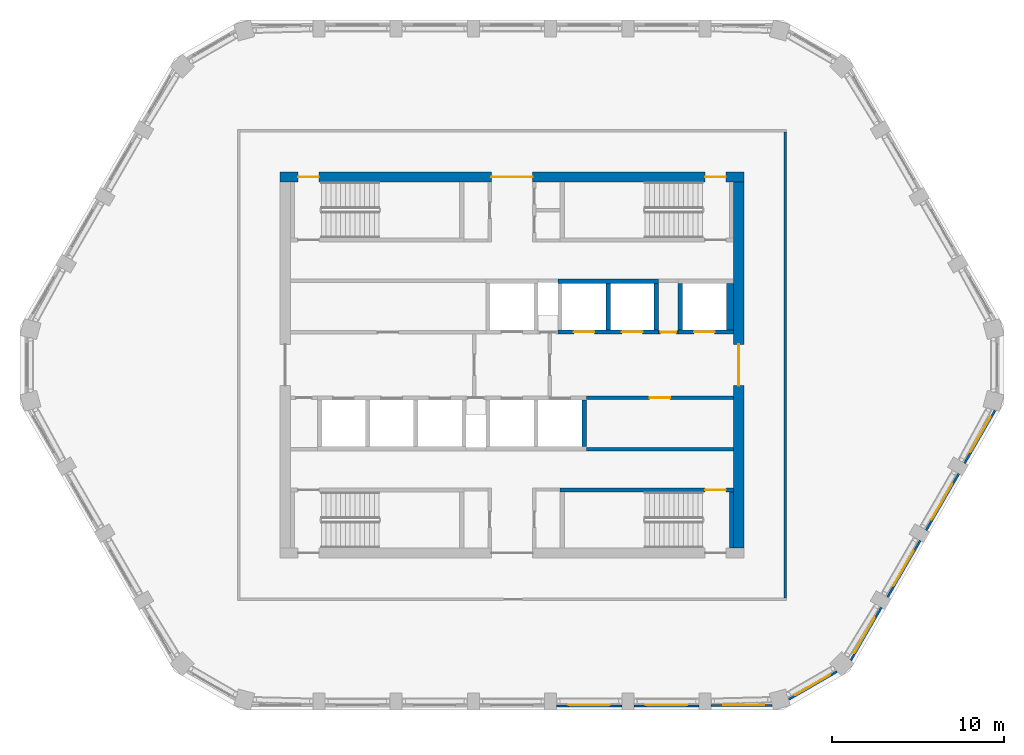
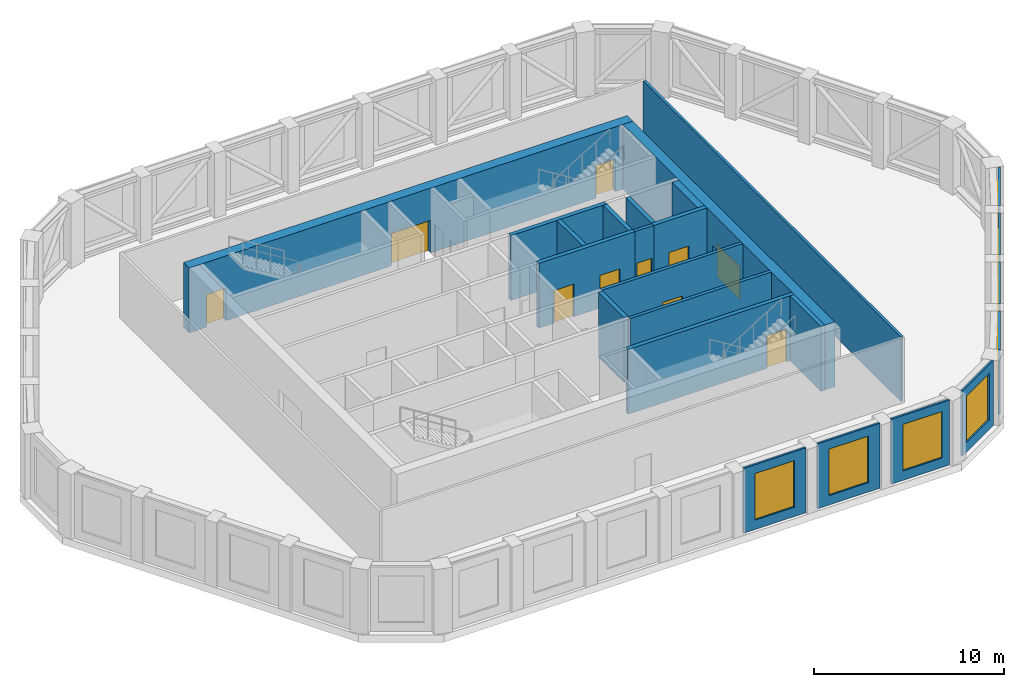
# One storey, part 5 of 14: 24 walls, 10 doors, 8 windows, 18 openings.
"""IFC4 building model written with IfcOpenShell, lengths in metres."""

import ifcopenshell
import ifcopenshell.guid

model = None  # the IFC model being written
_history = None  # IfcOwnerHistory: only IFC2X3 demands one
_inside = {}  # id of a spatial element -> (the spatial element, [elements in it])
_under = {}  # id of a project, library or spatial element -> (it, [spatial elements below it])
_declared = {}  # id of a project -> (the project, [libraries it declares])
_typed = {}  # id of a type object -> (the type object, [elements of that type])
_made_of = {}  # id of a material, layer set ... -> (it, [elements and type objects made of it])


def new_model(schema):
    """Start an empty IFC model of exactly this schema.

    Asked for "IFC4X3", IfcOpenShell would pick the latest addendum, in which some entities
    have other attributes; the version numbers below select the first issue.
    IFC2X3 requires an IfcOwnerHistory on every rooted entity: one is made here for all.
    """
    global model, _history
    if schema == "IFC4X3":
        model = ifcopenshell.file(schema_version=(4, 3, 0, 0))
    else:
        model = ifcopenshell.file(schema=schema)
    _inside.clear()
    _under.clear()
    _declared.clear()
    _typed.clear()
    _made_of.clear()
    _history = None
    if model.schema == "IFC2X3":
        org = make("IfcOrganization", Name="unknown")
        user = make(
            "IfcPersonAndOrganization",
            ThePerson=make("IfcPerson", FamilyName="unknown"),
            TheOrganization=org,
        )
        app = make(
            "IfcApplication",
            ApplicationDeveloper=org,
            Version="unknown",
            ApplicationFullName="unknown",
            ApplicationIdentifier="unknown",
        )
        _history = make(
            "IfcOwnerHistory",
            OwningUser=user,
            OwningApplication=app,
            ChangeAction="ADDED",
            CreationDate=0,
        )
    return model


def make(cls, **values):
    """One entity of the class cls with the attributes given. An attribute that is None is left unset."""
    return model.create_entity(
        cls, **{name: value for name, value in values.items() if value is not None}
    )


def rooted(cls, **values):
    """An entity with a GlobalId (a new one), such as an element, a storey or a relation."""
    return make(cls, GlobalId=ifcopenshell.guid.new(), OwnerHistory=_history, **values)


def si_unit(unit_type, name, prefix=None):
    """IfcSIUnit, for example si_unit("LENGTHUNIT", "METRE", prefix="MILLI")."""
    return make("IfcSIUnit", UnitType=unit_type, Prefix=prefix, Name=name)


def assignment(units):
    """IfcUnitAssignment: the units of a project."""
    return None if units is None else make("IfcUnitAssignment", Units=units)


def point(xyz):
    """IfcCartesianPoint."""
    return None if xyz is None else make("IfcCartesianPoint", Coordinates=xyz)


def direction(xyz):
    """IfcDirection."""
    return None if xyz is None else make("IfcDirection", DirectionRatios=xyz)


def frame(location, z_axis=None, x_axis=None):
    """IfcAxis2Placement3D, a coordinate frame: its origin and axes. An axis left out is left unset."""
    return make(
        "IfcAxis2Placement3D",
        Location=point(location),
        Axis=direction(z_axis),
        RefDirection=direction(x_axis),
    )


def frame_2d(location, x_axis=None):
    """IfcAxis2Placement2D, a coordinate frame in the plane: its origin and x axis."""
    return make(
        "IfcAxis2Placement2D", Location=point(location), RefDirection=direction(x_axis)
    )


def origin():
    """The frame at (0, 0, 0) with its axes left unset."""
    return frame((0.0, 0.0, 0.0))


def place(relative_to, where):
    """IfcLocalPlacement: puts the frame where relative to a parent placement (None: the world)."""
    return make(
        "IfcLocalPlacement", PlacementRelTo=relative_to, RelativePlacement=where
    )


def context(
    kind, dimensions, precision=None, world=None, true_north=None, identifier=None
):
    """IfcGeometricRepresentationContext, for example the 3D "Model" context."""
    return make(
        "IfcGeometricRepresentationContext",
        ContextIdentifier=identifier,
        ContextType=kind,
        CoordinateSpaceDimension=dimensions,
        Precision=precision,
        WorldCoordinateSystem=world,
        TrueNorth=true_north,
    )


def subcontext(parent, identifier, kind, view, scale=None):
    """IfcGeometricRepresentationSubContext, for example "Body" below "Model"."""
    return make(
        "IfcGeometricRepresentationSubContext",
        ContextIdentifier=identifier,
        ContextType=kind,
        ParentContext=parent,
        TargetScale=scale,
        TargetView=view,
    )


def project(units=None, contexts=None):
    """IfcProject with its units and contexts."""
    return rooted(
        "IfcProject",
        Name="project",
        RepresentationContexts=contexts,
        UnitsInContext=assignment(units),
    )


def spatial(cls, under=None, at=None, **own):
    """A site, building, storey or space (cls), placed at a placement, below another one or the project."""
    s = rooted(cls, ObjectPlacement=at, **own)
    if under is not None:
        _under.setdefault(under.id(), (under, []))[1].append(s)
    return s


def polyline(points):
    """IfcPolyline through the points."""
    return make("IfcPolyline", Points=[point(p) for p in points])


def profile(cls, at=None, kind="AREA", **sizes):
    """A parametric profile (cls). Its sizes go by their IFC names, for example OverallWidth=200.0."""
    return make(cls, ProfileType=kind, Position=at, **sizes)


def rectangle(**sizes):
    """IfcRectangleProfileDef."""
    return profile("IfcRectangleProfileDef", **sizes)


def outline(outer, holes=None, kind="AREA"):
    """IfcArbitraryClosedProfileDef: a profile drawn as a closed curve; with holes, ...WithVoids."""
    if holes is None:
        return make("IfcArbitraryClosedProfileDef", ProfileType=kind, OuterCurve=outer)
    return make(
        "IfcArbitraryProfileDefWithVoids",
        ProfileType=kind,
        OuterCurve=outer,
        InnerCurves=holes,
    )


def extrude(swept, where, along, depth):
    """IfcExtrudedAreaSolid: the profile swept, set in the frame where, extruded along a direction by depth."""
    return make(
        "IfcExtrudedAreaSolid",
        SweptArea=swept,
        Position=where,
        ExtrudedDirection=direction(along),
        Depth=depth,
    )


def shape(context_of_items, identifier, shape_type, items):
    """IfcShapeRepresentation: the items that make up one representation, for example the "Body"."""
    return make(
        "IfcShapeRepresentation",
        ContextOfItems=context_of_items,
        RepresentationIdentifier=identifier,
        RepresentationType=shape_type,
        Items=items,
    )


def material(Name=None, Category=None):
    """IfcMaterial."""
    return make("IfcMaterial", Name=Name, Category=Category)


def layer(
    of_material, thickness, ventilated=None, Name=None, Category=None, Priority=None
):
    """IfcMaterialLayer: one layer of a wall or slab, of a material (None: an air gap)."""
    return make(
        "IfcMaterialLayer",
        Material=of_material,
        LayerThickness=thickness,
        IsVentilated=ventilated,
        Name=Name,
        Category=Category,
        Priority=Priority,
    )


def layer_set(layers, Name=None):
    """IfcMaterialLayerSet."""
    return make("IfcMaterialLayerSet", MaterialLayers=layers, LayerSetName=Name)


def made_of(thing, what):
    """Note that an element or type object is made of a material, layer set ...; save() writes the relation."""
    if what is not None:
        _made_of.setdefault(what.id(), (what, []))[1].append(thing)
    return thing


def type_object(cls, material=None, **own):
    """A type object (cls), such as IfcWallType, which elements share."""
    return made_of(rooted(cls, **own), material)


def element(
    cls,
    number,
    at=None,
    inside=None,
    cuts=None,
    type_object=None,
    material=None,
    context=None,
    identifier="Body",
    shape_type=None,
    held_by="IfcProductDefinitionShape",
    body=None,
    shapes=None,
    **own,
):
    """One element of the class cls, such as IfcWall. Its Tag is "e" and its number.

    at: its placement. inside: the storey or other place that contains it. cuts: it is an
    opening in that element (IfcRelVoidsElement). A single representation is given by context,
    identifier, shape_type and body (its items); several are given by shapes. held_by: the class
    of the entity that holds the representations. save() writes the other relations.
    """
    e = rooted(cls, Tag="e%d" % number, ObjectPlacement=at, **own)
    if body is not None:
        shapes = [shape(context, identifier, shape_type, body)]
    if shapes is not None:
        e.Representation = make(held_by, Representations=shapes)
    if inside is not None:
        _inside.setdefault(inside.id(), (inside, []))[1].append(e)
    if cuts is not None:
        rooted(
            "IfcRelVoidsElement", RelatingBuildingElement=cuts, RelatedOpeningElement=e
        )
    if type_object is not None:
        _typed.setdefault(type_object.id(), (type_object, []))[1].append(e)
    return made_of(e, material)


def fill(opening, filler):
    """IfcRelFillsElement: the door or window that sits in an opening."""
    return rooted(
        "IfcRelFillsElement",
        RelatingOpeningElement=opening,
        RelatedBuildingElement=filler,
    )


def aggregate(whole, parts):
    """IfcRelAggregates: a whole, such as a stair, and the parts it consists of."""
    return rooted("IfcRelAggregates", RelatingObject=whole, RelatedObjects=parts)


def save(model, path):
    """Write the relations noted so far, then the file.

    IfcRelAggregates (storeys below a building ...), IfcRelContainedInSpatialStructure (elements
    in a storey), IfcRelDefinesByType, IfcRelAssociatesMaterial and IfcRelDeclares: one each for
    every whole, place, type object, material and project.
    """
    for whole, parts in _under.values():
        aggregate(whole, parts)
    for where, things in _inside.values():
        rooted(
            "IfcRelContainedInSpatialStructure",
            RelatedElements=things,
            RelatingStructure=where,
        )
    for kind, things in _typed.values():
        rooted("IfcRelDefinesByType", RelatedObjects=things, RelatingType=kind)
    for what, things in _made_of.values():
        rooted("IfcRelAssociatesMaterial", RelatedObjects=things, RelatingMaterial=what)
    for by, libraries in _declared.values():
        rooted("IfcRelDeclares", RelatingContext=by, RelatedDefinitions=libraries)
    model.write(path)


model = new_model("IFC4")

# Units and contexts
model_context = context("Model", 3, precision=1e-05, world=origin(), true_north=direction((0.0, 1.0)))
body_context = subcontext(model_context, "Body", "Model", "MODEL_VIEW")
ifc_project = project(units=[si_unit("LENGTHUNIT", "METRE"), si_unit("AREAUNIT", "SQUARE_METRE"), si_unit("VOLUMEUNIT", "CUBIC_METRE"), si_unit("PLANEANGLEUNIT", "RADIAN"), si_unit("MASSUNIT", "GRAM", prefix="KILO")], contexts=[model_context])

# Site, building, storey
site_placement = place(None, origin())
site = spatial("IfcSite", under=ifc_project, at=site_placement, CompositionType="ELEMENT")
building_placement = place(site_placement, origin())
building = spatial("IfcBuilding", under=site, at=building_placement, Name="Dhurran Vertical Campus", CompositionType="ELEMENT")
storey_placement = place(building_placement, frame((0.0, 0.0, 282.0)))
storey = spatial("IfcBuildingStorey", under=building, at=storey_placement, Name="L70 Plant", CompositionType="ELEMENT", Elevation=282.0)

# Wall, opening, window
ifc_material_1 = material(Name="Precast concrete C50/60", Category="concrete")
ifc_layer_1 = layer(ifc_material_1, 0.1201171875)
ifc_layer_set_1 = layer_set([ifc_layer_1], Name="Precast concrete C50/60")
wall_type_1 = type_object("IfcWallType", Name="Precast louvre-bay panel 120", PredefinedType="SOLIDWALL", material=ifc_layer_set_1)
wall_1_placement = place(storey_placement, frame((2.6005859375, -19.8515625, 0.0), z_axis=(0.0, 0.0, 1.0), x_axis=(1.0, 0.0, 0.0)))
wall_1 = element("IfcWall", 1, at=wall_1_placement, inside=storey, type_object=wall_type_1, Name="EW4 L70.04", PredefinedType="SOLIDWALL", context=body_context, shape_type="SweptSolid", body=[
    extrude(rectangle(XDim=3.798828125, YDim=0.1201171875, at=frame_2d((1.8994140625, 0.0))), origin(), (0.0, 0.0, 1.0), 4.175048828125),
])
opening_1_placement = place(wall_1_placement, frame((0.699462890625, 0.0, 0.60009765625)))
opening_1 = element("IfcOpeningElement", 2, at=opening_1_placement, cuts=wall_1, Name="Opening WT4", PredefinedType="OPENING", context=body_context, shape_type="SweptSolid", body=[
    extrude(rectangle(XDim=2.39990234375, YDim=3.0, at=frame_2d((1.199951171875, 1.5))), frame((0.0, 0.070068359375, 0.0), z_axis=(0.0, -1.0, 0.0), x_axis=(1.0, 0.0, 0.0)), (0.0, 0.0, 1.0), 0.14013671875),
])
ifc_material_2 = material(Name="Aluminium louvre", Category="aluminium")
window_type = type_object("IfcWindowType", Name="Louvred plant vent 2400 x 3000", PartitioningType="SINGLE_PANEL", PredefinedType="WINDOW", material=ifc_material_2)
window_1_placement = place(opening_1_placement, origin())
window_1 = element("IfcWindow", 3, at=window_1_placement, inside=storey, type_object=window_type, Name="WT4 L70.04", OverallHeight=3.0, OverallWidth=2.39990234375, PartitioningType="SINGLE_PANEL", PredefinedType="WINDOW", context=body_context, shape_type="SweptSolid", body=[
    extrude(rectangle(XDim=2.39990234375, YDim=3.0, at=frame_2d((1.199951171875, 1.5))), frame((0.0, 0.06005859375, 0.0), z_axis=(0.0, -1.0, 0.0), x_axis=(1.0, 0.0, 0.0)), (0.0, 0.0, 1.0), 0.02001953125),
])
fill(opening_1, window_1)

wall_2_placement = place(storey_placement, frame((7.1005859375, -19.8515625, 0.0), z_axis=(0.0, 0.0, 1.0), x_axis=(1.0, 0.0, 0.0)))
wall_2 = element("IfcWall", 4, at=wall_2_placement, inside=storey, type_object=wall_type_1, Name="EW4 L70.05", PredefinedType="SOLIDWALL", context=body_context, shape_type="SweptSolid", body=[
    extrude(rectangle(XDim=3.798828125, YDim=0.1201171875, at=frame_2d((1.8994140625, 0.0))), origin(), (0.0, 0.0, 1.0), 4.175048828125),
])
opening_2_placement = place(wall_2_placement, frame((0.699462890625, 0.0, 0.60009765625)))
opening_2 = element("IfcOpeningElement", 5, at=opening_2_placement, cuts=wall_2, Name="Opening WT4", PredefinedType="OPENING", context=body_context, shape_type="SweptSolid", body=[
    extrude(rectangle(XDim=2.39990234375, YDim=3.0, at=frame_2d((1.199951171875, 1.5))), frame((0.0, 0.070068359375, 0.0), z_axis=(0.0, -1.0, 0.0), x_axis=(1.0, 0.0, 0.0)), (0.0, 0.0, 1.0), 0.14013671875),
])
window_2_placement = place(opening_2_placement, origin())
window_2 = element("IfcWindow", 6, at=window_2_placement, inside=storey, type_object=window_type, Name="WT4 L70.05", OverallHeight=3.0, OverallWidth=2.39990234375, PartitioningType="SINGLE_PANEL", PredefinedType="WINDOW", context=body_context, shape_type="SweptSolid", body=[
    extrude(rectangle(XDim=2.39990234375, YDim=3.0, at=frame_2d((1.199951171875, 1.5))), frame((0.0, 0.06005859375, 0.0), z_axis=(0.0, -1.0, 0.0), x_axis=(1.0, 0.0, 0.0)), (0.0, 0.0, 1.0), 0.02001953125),
])
fill(opening_2, window_2)

wall_3_placement = place(storey_placement, frame((11.6005859375, -19.83740234375, 0.0), z_axis=(0.0, 0.0, 1.0), x_axis=(1.0, 0.0, 0.0)))
wall_3 = element("IfcWall", 7, at=wall_3_placement, inside=storey, type_object=wall_type_1, Name="EW4 L70.06", PredefinedType="SOLIDWALL", context=body_context, shape_type="SweptSolid", body=[
    extrude(rectangle(XDim=3.548095703125, YDim=0.1201171875, at=frame_2d((1.77392578125, 0.0))), origin(), (0.0, 0.0, 1.0), 4.175048828125),
])
opening_3_placement = place(wall_3_placement, frame((0.699462890625, 0.0, 0.60009765625)))
opening_3 = element("IfcOpeningElement", 8, at=opening_3_placement, cuts=wall_3, Name="Opening WT4", PredefinedType="OPENING", context=body_context, shape_type="SweptSolid", body=[
    extrude(rectangle(XDim=2.39990234375, YDim=3.0, at=frame_2d((1.199951171875, 1.5))), frame((0.0, 0.070068359375, 0.0), z_axis=(0.0, -1.0, 0.0), x_axis=(1.0, 0.0, 0.0)), (0.0, 0.0, 1.0), 0.14013671875),
])
window_3_placement = place(opening_3_placement, origin())
window_3 = element("IfcWindow", 9, at=window_3_placement, inside=storey, type_object=window_type, Name="WT4 L70.06", OverallHeight=3.0, OverallWidth=2.39990234375, PartitioningType="SINGLE_PANEL", PredefinedType="WINDOW", context=body_context, shape_type="SweptSolid", body=[
    extrude(rectangle(XDim=2.39990234375, YDim=3.0, at=frame_2d((1.199951171875, 1.5))), frame((0.0, 0.06005859375, 0.0), z_axis=(0.0, -1.0, 0.0), x_axis=(1.0, 0.0, 0.0)), (0.0, 0.0, 1.0), 0.02001953125),
])
fill(opening_3, window_3)

wall_4_placement = place(storey_placement, frame((16.118896484375, -19.47216796875, 0.0), z_axis=(0.0, 0.0, 1.0), x_axis=(0.866035229914, 0.499982980259, 0.0)))
wall_4 = element("IfcWall", 10, at=wall_4_placement, inside=storey, type_object=wall_type_1, Name="EW4 L70.07", PredefinedType="SOLIDWALL", context=body_context, shape_type="SweptSolid", body=[
    extrude(rectangle(XDim=3.24462890625, YDim=0.1201171875, at=frame_2d((1.622314453125, 0.0))), origin(), (0.0, 0.0, 1.0), 4.175048828125),
])
opening_4_placement = place(wall_4_placement, frame((0.42236328125, 0.0, 0.60009765625)))
opening_4 = element("IfcOpeningElement", 11, at=opening_4_placement, cuts=wall_4, Name="Opening WT4", PredefinedType="OPENING", context=body_context, shape_type="SweptSolid", body=[
    extrude(rectangle(XDim=2.39990234375, YDim=3.0, at=frame_2d((1.199951171875, 1.5))), frame((0.0, 0.070068359375, 0.0), z_axis=(0.0, -1.0, 0.0), x_axis=(1.0, 0.0, 0.0)), (0.0, 0.0, 1.0), 0.14013671875),
])
window_4_placement = place(opening_4_placement, origin())
window_4 = element("IfcWindow", 12, at=window_4_placement, inside=storey, type_object=window_type, Name="WT4 L70.07", OverallHeight=3.0, OverallWidth=2.39990234375, PartitioningType="SINGLE_PANEL", PredefinedType="WINDOW", context=body_context, shape_type="SweptSolid", body=[
    extrude(rectangle(XDim=2.39990234375, YDim=3.0, at=frame_2d((1.199951171875, 1.5))), frame((0.0, 0.06005859375, 0.0), z_axis=(0.0, -1.0, 0.0), x_axis=(1.0, 0.0, 0.0)), (0.0, 0.0, 1.0), 0.02001953125),
])
fill(opening_4, window_4)

wall_5_placement = place(storey_placement, frame((19.72998046875, -17.192138671875, 0.0), z_axis=(0.0, 0.0, 1.0), x_axis=(0.499994435258, 0.866028616566, 0.0)))
wall_5 = element("IfcWall", 13, at=wall_5_placement, inside=storey, type_object=wall_type_1, Name="EW4 L70.08", PredefinedType="SOLIDWALL", context=body_context, shape_type="SweptSolid", body=[
    extrude(rectangle(XDim=3.54833984375, YDim=0.1201171875, at=frame_2d((1.774169921875, 0.0))), origin(), (0.0, 0.0, 1.0), 4.175048828125),
])
opening_5_placement = place(wall_5_placement, frame((0.44873046875, 0.0, 0.60009765625)))
opening_5 = element("IfcOpeningElement", 14, at=opening_5_placement, cuts=wall_5, Name="Opening WT4", PredefinedType="OPENING", context=body_context, shape_type="SweptSolid", body=[
    extrude(rectangle(XDim=2.39990234375, YDim=3.0, at=frame_2d((1.199951171875, 1.5))), frame((0.0, 0.070068359375, 0.0), z_axis=(0.0, -1.0, 0.0), x_axis=(1.0, 0.0, 0.0)), (0.0, 0.0, 1.0), 0.14013671875),
])
window_5_placement = place(opening_5_placement, origin())
window_5 = element("IfcWindow", 15, at=window_5_placement, inside=storey, type_object=window_type, Name="WT4 L70.08", OverallHeight=3.0, OverallWidth=2.39990234375, PartitioningType="SINGLE_PANEL", PredefinedType="WINDOW", context=body_context, shape_type="SweptSolid", body=[
    extrude(rectangle(XDim=2.39990234375, YDim=3.0, at=frame_2d((1.199951171875, 1.5))), frame((0.0, 0.06005859375, 0.0), z_axis=(0.0, -1.0, 0.0), x_axis=(1.0, 0.0, 0.0)), (0.0, 0.0, 1.0), 0.02001953125),
])
fill(opening_5, window_5)

wall_6_placement = place(storey_placement, frame((21.8671875, -13.519287109375, 0.0), z_axis=(0.0, 0.0, 1.0), x_axis=(0.499982058975, 0.866035761792, 0.0)))
wall_6 = element("IfcWall", 16, at=wall_6_placement, inside=storey, type_object=wall_type_1, Name="EW4 L70.09", PredefinedType="SOLIDWALL", context=body_context, shape_type="SweptSolid", body=[
    extrude(rectangle(XDim=3.799072265625, YDim=0.1201171875, at=frame_2d((1.8994140625, 0.0))), origin(), (0.0, 0.0, 1.0), 4.175048828125),
])
opening_6_placement = place(wall_6_placement, frame((0.699462890625, 0.0, 0.60009765625)))
opening_6 = element("IfcOpeningElement", 17, at=opening_6_placement, cuts=wall_6, Name="Opening WT4", PredefinedType="OPENING", context=body_context, shape_type="SweptSolid", body=[
    extrude(rectangle(XDim=2.39990234375, YDim=3.0, at=frame_2d((1.199951171875, 1.5))), frame((0.0, 0.070068359375, 0.0), z_axis=(0.0, -1.0, 0.0), x_axis=(1.0, 0.0, 0.0)), (0.0, 0.0, 1.0), 0.14013671875),
])
window_6_placement = place(opening_6_placement, origin())
window_6 = element("IfcWindow", 18, at=window_6_placement, inside=storey, type_object=window_type, Name="WT4 L70.09", OverallHeight=3.0, OverallWidth=2.39990234375, PartitioningType="SINGLE_PANEL", PredefinedType="WINDOW", context=body_context, shape_type="SweptSolid", body=[
    extrude(rectangle(XDim=2.39990234375, YDim=3.0, at=frame_2d((1.199951171875, 1.5))), frame((0.0, 0.06005859375, 0.0), z_axis=(0.0, -1.0, 0.0), x_axis=(1.0, 0.0, 0.0)), (0.0, 0.0, 1.0), 0.02001953125),
])
fill(opening_6, window_6)

wall_7_placement = place(storey_placement, frame((24.1171875, -9.622314453125, 0.0), z_axis=(0.0, 0.0, 1.0), x_axis=(0.499982058975, 0.866035761792, 0.0)))
wall_7 = element("IfcWall", 19, at=wall_7_placement, inside=storey, type_object=wall_type_1, Name="EW4 L70.10", PredefinedType="SOLIDWALL", context=body_context, shape_type="SweptSolid", body=[
    extrude(rectangle(XDim=3.799072265625, YDim=0.1201171875, at=frame_2d((1.8994140625, 0.0))), origin(), (0.0, 0.0, 1.0), 4.175048828125),
])
opening_7_placement = place(wall_7_placement, frame((0.699462890625, 0.0, 0.60009765625)))
opening_7 = element("IfcOpeningElement", 20, at=opening_7_placement, cuts=wall_7, Name="Opening WT4", PredefinedType="OPENING", context=body_context, shape_type="SweptSolid", body=[
    extrude(rectangle(XDim=2.39990234375, YDim=3.0, at=frame_2d((1.199951171875, 1.5))), frame((0.0, 0.070068359375, 0.0), z_axis=(0.0, -1.0, 0.0), x_axis=(1.0, 0.0, 0.0)), (0.0, 0.0, 1.0), 0.14013671875),
])
window_7_placement = place(opening_7_placement, origin())
window_7 = element("IfcWindow", 21, at=window_7_placement, inside=storey, type_object=window_type, Name="WT4 L70.10", OverallHeight=3.0, OverallWidth=2.39990234375, PartitioningType="SINGLE_PANEL", PredefinedType="WINDOW", context=body_context, shape_type="SweptSolid", body=[
    extrude(rectangle(XDim=2.39990234375, YDim=3.0, at=frame_2d((1.199951171875, 1.5))), frame((0.0, 0.06005859375, 0.0), z_axis=(0.0, -1.0, 0.0), x_axis=(1.0, 0.0, 0.0)), (0.0, 0.0, 1.0), 0.02001953125),
])
fill(opening_7, window_7)

wall_8_placement = place(storey_placement, frame((26.354736328125, -5.718017578125, 0.0), z_axis=(0.0, 0.0, 1.0), x_axis=(0.499994435258, 0.866028616566, 0.0)))
wall_8 = element("IfcWall", 22, at=wall_8_placement, inside=storey, type_object=wall_type_1, Name="EW4 L70.11", PredefinedType="SOLIDWALL", context=body_context, shape_type="SweptSolid", body=[
    extrude(rectangle(XDim=3.54833984375, YDim=0.1201171875, at=frame_2d((1.774169921875, 0.0))), origin(), (0.0, 0.0, 1.0), 4.175048828125),
])
opening_8_placement = place(wall_8_placement, frame((0.699462890625, 0.0, 0.60009765625)))
opening_8 = element("IfcOpeningElement", 23, at=opening_8_placement, cuts=wall_8, Name="Opening WT4", PredefinedType="OPENING", context=body_context, shape_type="SweptSolid", body=[
    extrude(rectangle(XDim=2.39990234375, YDim=3.0, at=frame_2d((1.199951171875, 1.5))), frame((0.0, 0.070068359375, 0.0), z_axis=(0.0, -1.0, 0.0), x_axis=(1.0, 0.0, 0.0)), (0.0, 0.0, 1.0), 0.14013671875),
])
window_8_placement = place(opening_8_placement, origin())
window_8 = element("IfcWindow", 24, at=window_8_placement, inside=storey, type_object=window_type, Name="WT4 L70.11", OverallHeight=3.0, OverallWidth=2.39990234375, PartitioningType="SINGLE_PANEL", PredefinedType="WINDOW", context=body_context, shape_type="SweptSolid", body=[
    extrude(rectangle(XDim=2.39990234375, YDim=3.0, at=frame_2d((1.199951171875, 1.5))), frame((0.0, 0.06005859375, 0.0), z_axis=(0.0, -1.0, 0.0), x_axis=(1.0, 0.0, 0.0)), (0.0, 0.0, 1.0), 0.02001953125),
])
fill(opening_8, window_8)

# Wall, openings, doors
ifc_material_3 = material(Name="Concrete C50/60", Category="concrete")
ifc_layer_2 = layer(ifc_material_3, 0.60009765625)
ifc_layer_set_2 = layer_set([ifc_layer_2], Name="Concrete C50/60")
wall_type_2 = type_object("IfcWallType", Name="co-CORE-WALL-C2-600", PredefinedType="SHEAR", material=ifc_layer_set_2)
wall_9_placement = place(storey_placement, frame((-13.5, 10.949951171875, 0.0), z_axis=(0.0, 0.0, 1.0), x_axis=(1.0, 0.0, 0.0)))
wall_9 = element("IfcWall", 25, at=wall_9_placement, inside=storey, type_object=wall_type_2, Name="Core wall N L70", PredefinedType="SHEAR", context=body_context, shape_type="SweptSolid", body=[
    extrude(rectangle(XDim=27.0, YDim=0.60009765625, at=frame_2d((13.5, 0.0))), origin(), (0.0, 0.0, 1.0), 4.175048828125),
])
opening_9_placement = place(wall_9_placement, frame((12.300048828125, 0.0, 0.0)))
opening_9 = element("IfcOpeningElement", 26, at=opening_9_placement, cuts=wall_9, Name="Opening CV1", PredefinedType="OPENING", context=body_context, shape_type="SweptSolid", body=[
    extrude(rectangle(XDim=2.39990234375, YDim=2.10009765625, at=frame_2d((1.199951171875, 1.050048828125))), frame((0.0, 0.31005859375, 0.0), z_axis=(0.0, -1.0, 0.0), x_axis=(1.0, 0.0, 0.0)), (0.0, 0.0, 1.0), 0.6201171875),
])
opening_10_placement = place(wall_9_placement, frame((1.050048828125, 0.0, 0.0)))
opening_10 = element("IfcOpeningElement", 27, at=opening_10_placement, cuts=wall_9, Name="Opening XD1", PredefinedType="OPENING", context=body_context, shape_type="SweptSolid", body=[
    extrude(rectangle(XDim=1.199951171875, YDim=2.10009765625, at=frame_2d((0.60009765625, 1.050048828125))), frame((0.0, 0.31005859375, 0.0), z_axis=(0.0, -1.0, 0.0), x_axis=(1.0, 0.0, 0.0)), (0.0, 0.0, 1.0), 0.6201171875),
])
opening_11_placement = place(wall_9_placement, frame((24.75, 0.0, 0.0)))
opening_11 = element("IfcOpeningElement", 28, at=opening_11_placement, cuts=wall_9, Name="Opening XD2", PredefinedType="OPENING", context=body_context, shape_type="SweptSolid", body=[
    extrude(rectangle(XDim=1.199951171875, YDim=2.10009765625, at=frame_2d((0.60009765625, 1.050048828125))), frame((0.0, 0.31005859375, 0.0), z_axis=(0.0, -1.0, 0.0), x_axis=(1.0, 0.0, 0.0)), (0.0, 0.0, 1.0), 0.6201171875),
])
ifc_material_4 = material(Name="Fire-rated glazed door set")
door_type_1 = type_object("IfcDoorType", Name="co-D-LOBBY 2400x2100", OperationType="DOUBLE_DOOR_DOUBLE_SWING", PredefinedType="DOOR", material=ifc_material_4)
door_1_placement = place(opening_9_placement, origin())
door_1 = element("IfcDoor", 29, at=door_1_placement, inside=storey, type_object=door_type_1, Name="Core vestibule door N L70", OperationType="DOUBLE_DOOR_DOUBLE_SWING", OverallHeight=2.10009765625, OverallWidth=2.39990234375, PredefinedType="DOOR", context=body_context, shape_type="SweptSolid", body=[
    extrude(rectangle(XDim=2.39990234375, YDim=2.10009765625, at=frame_2d((1.199951171875, 1.050048828125))), frame((0.0, 0.02490234375, 0.0), z_axis=(0.0, -1.0, 0.0), x_axis=(1.0, 0.0, 0.0)), (0.0, 0.0, 1.0), 0.050048828125),
])
fill(opening_9, door_1)
ifc_material_5 = material(Name="Fire-rated steel door set", Category="steel")
door_type_2 = type_object("IfcDoorType", Name="co-D-STAIR-EXIT 1200x2100", OperationType="SINGLE_SWING_RIGHT", PredefinedType="DOOR", material=ifc_material_5)
door_2_placement = place(opening_10_placement, origin())
door_2 = element("IfcDoor", 30, at=door_2_placement, inside=storey, type_object=door_type_2, Name="Stair ST1 exit door L70", OperationType="SINGLE_SWING_RIGHT", OverallHeight=2.10009765625, OverallWidth=1.199951171875, PredefinedType="DOOR", context=body_context, shape_type="SweptSolid", body=[
    extrude(rectangle(XDim=1.199951171875, YDim=2.10009765625, at=frame_2d((0.60009765625, 1.050048828125))), frame((0.0, 0.02490234375, 0.0), z_axis=(0.0, -1.0, 0.0), x_axis=(1.0, 0.0, 0.0)), (0.0, 0.0, 1.0), 0.050048828125),
])
fill(opening_10, door_2)
door_3_placement = place(opening_11_placement, origin())
door_3 = element("IfcDoor", 31, at=door_3_placement, inside=storey, type_object=door_type_2, Name="Stair ST2 exit door L70", OperationType="SINGLE_SWING_RIGHT", OverallHeight=2.10009765625, OverallWidth=1.199951171875, PredefinedType="DOOR", context=body_context, shape_type="SweptSolid", body=[
    extrude(rectangle(XDim=1.199951171875, YDim=2.10009765625, at=frame_2d((0.60009765625, 1.050048828125))), frame((0.0, 0.02490234375, 0.0), z_axis=(0.0, -1.0, 0.0), x_axis=(1.0, 0.0, 0.0)), (0.0, 0.0, 1.0), 0.050048828125),
])
fill(opening_11, door_3)

# Wall, opening, door
wall_10_placement = place(storey_placement, frame((13.199951171875, -10.64990234375, 0.0), z_axis=(0.0, 0.0, 1.0), x_axis=(0.0, 1.0, 0.0)))
wall_10 = element("IfcWall", 32, at=wall_10_placement, inside=storey, type_object=wall_type_2, Name="Core wall E L70", PredefinedType="SHEAR", context=body_context, shape_type="SweptSolid", body=[
    extrude(rectangle(XDim=21.2998046875, YDim=0.60009765625, at=frame_2d((10.64990234375, 0.0))), origin(), (0.0, 0.0, 1.0), 4.175048828125),
])
opening_12_placement = place(wall_10_placement, frame((9.449951171875, 0.0, 0.0)))
opening_12 = element("IfcOpeningElement", 33, at=opening_12_placement, cuts=wall_10, Name="Opening CL2", PredefinedType="OPENING", context=body_context, shape_type="SweptSolid", body=[
    extrude(rectangle(XDim=2.39990234375, YDim=2.10009765625, at=frame_2d((1.199951171875, 1.050048828125))), frame((0.0, 0.31005859375, 0.0), z_axis=(0.0, -1.0, 0.0), x_axis=(1.0, 0.0, 0.0)), (0.0, 0.0, 1.0), 0.6201171875),
])
door_4_placement = place(opening_12_placement, origin())
door_4 = element("IfcDoor", 34, at=door_4_placement, inside=storey, type_object=door_type_1, Name="Lift lobby door E L70", OperationType="DOUBLE_DOOR_DOUBLE_SWING", OverallHeight=2.10009765625, OverallWidth=2.39990234375, PredefinedType="DOOR", context=body_context, shape_type="SweptSolid", body=[
    extrude(rectangle(XDim=2.39990234375, YDim=2.10009765625, at=frame_2d((1.199951171875, 1.050048828125))), frame((0.0, 0.02490234375, 0.0), z_axis=(0.0, -1.0, 0.0), x_axis=(1.0, 0.0, 0.0)), (0.0, 0.0, 1.0), 0.050048828125),
])
fill(opening_12, door_4)

ifc_material_6 = material(Name="Fire-rated masonry blockwork", Category="masonry")
ifc_layer_3 = layer(ifc_material_6, 0.199951171875)
ifc_layer_set_3 = layer_set([ifc_layer_3], Name="Fire-rated masonry blockwork")
wall_type_3 = type_object("IfcWallType", Name="co-FIRE-PARTITION-200", PredefinedType="PARTITIONING", material=ifc_layer_set_3)
wall_11_placement = place(storey_placement, frame((8.52490234375, 1.89990234375, 0.0), z_axis=(0.0, 0.0, 1.0), x_axis=(1.0, 0.0, 0.0)))
wall_11 = element("IfcWall", 35, at=wall_11_placement, inside=storey, type_object=wall_type_3, Name="Core partition fr-N2-f L70", PredefinedType="PARTITIONING", context=body_context, shape_type="SweptSolid", body=[
    extrude(rectangle(XDim=1.150146484375, YDim=0.199951171875, at=frame_2d((0.5751953125, 0.0))), origin(), (0.0, 0.0, 1.0), 4.175048828125),
])
opening_13_placement = place(wall_11_placement, frame((0.125, 0.0, 0.0)))
opening_13 = element("IfcOpeningElement", 36, at=opening_13_placement, cuts=wall_11, Name="Opening BR70-C8", PredefinedType="OPENING", context=body_context, shape_type="SweptSolid", body=[
    extrude(rectangle(XDim=0.89990234375, YDim=2.10009765625, at=frame_2d((0.449951171875, 1.050048828125))), frame((0.0, 0.10986328125, 0.0), z_axis=(0.0, -1.0, 0.0), x_axis=(1.0, 0.0, 0.0)), (0.0, 0.0, 1.0), 0.219970703125),
])
ifc_material_7 = material(Name="Fire-rated timber door set", Category="wood")
door_type_3 = type_object("IfcDoorType", Name="co-D-ROOM 900x2100", OperationType="SINGLE_SWING_LEFT", PredefinedType="DOOR", material=ifc_material_7)
door_5_placement = place(opening_13_placement, origin())
door_5 = element("IfcDoor", 37, at=door_5_placement, inside=storey, type_object=door_type_3, Name="Cleaner's store door L70", OperationType="SINGLE_SWING_LEFT", OverallHeight=2.10009765625, OverallWidth=0.89990234375, PredefinedType="DOOR", context=body_context, shape_type="SweptSolid", body=[
    extrude(rectangle(XDim=0.89990234375, YDim=2.10009765625, at=frame_2d((0.449951171875, 1.050048828125))), frame((0.0, 0.02490234375, 0.0), z_axis=(0.0, -1.0, 0.0), x_axis=(1.0, 0.0, 0.0)), (0.0, 0.0, 1.0), 0.050048828125),
])
fill(opening_13, door_5)

wall_12_placement = place(storey_placement, frame((4.324951171875, -1.89990234375, 0.0), z_axis=(0.0, 0.0, 1.0), x_axis=(1.0, 0.0, 0.0)))
wall_12 = element("IfcWall", 38, at=wall_12_placement, inside=storey, type_object=wall_type_3, Name="Core partition fr-S2-f L70", PredefinedType="PARTITIONING", context=body_context, shape_type="SweptSolid", body=[
    extrude(rectangle(XDim=8.574951171875, YDim=0.199951171875, at=frame_2d((4.28759765625, 0.0))), origin(), (0.0, 0.0, 1.0), 4.175048828125),
])
opening_14_placement = place(wall_12_placement, frame((3.6875, 0.0, 0.0)))
opening_14 = element("IfcOpeningElement", 39, at=opening_14_placement, cuts=wall_12, Name="Opening BR70-C11", PredefinedType="OPENING", context=body_context, shape_type="SweptSolid", body=[
    extrude(rectangle(XDim=1.199951171875, YDim=2.10009765625, at=frame_2d((0.60009765625, 1.050048828125))), frame((0.0, 0.10986328125, 0.0), z_axis=(0.0, -1.0, 0.0), x_axis=(1.0, 0.0, 0.0)), (0.0, 0.0, 1.0), 0.219970703125),
])
ifc_material_8 = material(Name="Fire-rated steel door set", Category="steel")
door_type_4 = type_object("IfcDoorType", Name="co-D-ROOM-PASSAGE 1200x2100", OperationType="SINGLE_SWING_RIGHT", PredefinedType="DOOR", material=ifc_material_8)
door_6_placement = place(opening_14_placement, origin())
door_6 = element("IfcDoor", 40, at=door_6_placement, inside=storey, type_object=door_type_4, Name="Pantry door L70", OperationType="SINGLE_SWING_RIGHT", OverallHeight=2.10009765625, OverallWidth=1.199951171875, PredefinedType="DOOR", context=body_context, shape_type="SweptSolid", body=[
    extrude(rectangle(XDim=1.199951171875, YDim=2.10009765625, at=frame_2d((0.60009765625, 1.050048828125))), frame((0.0, 0.02490234375, 0.0), z_axis=(0.0, -1.0, 0.0), x_axis=(1.0, 0.0, 0.0)), (0.0, 0.0, 1.0), 0.050048828125),
])
fill(opening_14, door_6)

# Wall
wall_13_placement = place(storey_placement, frame((4.324951171875, -4.89990234375, 0.0), z_axis=(0.0, 0.0, 1.0), x_axis=(1.0, 0.0, 0.0)))
element("IfcWall", 41, at=wall_13_placement, inside=storey, type_object=wall_type_3, Name="Core partition fr-S2-b L70", PredefinedType="PARTITIONING", context=body_context, shape_type="SweptSolid", body=[
    extrude(rectangle(XDim=8.574951171875, YDim=0.199951171875, at=frame_2d((4.28759765625, 0.0))), origin(), (0.0, 0.0, 1.0), 4.175048828125),
])

# Wall, openings, doors
ifc_material_9 = material(Name="Concrete C50/60", Category="concrete")
ifc_layer_4 = layer(ifc_material_9, 0.25)
ifc_layer_set_4 = layer_set([ifc_layer_4], Name="Concrete C50/60")
wall_type_4 = type_object("IfcWallType", Name="co-SHAFT-FRONT-250", PredefinedType="SHEAR", material=ifc_layer_set_4)
wall_14_placement = place(storey_placement, frame((2.675048828125, 1.925048828125, 0.0), z_axis=(0.0, 0.0, 1.0), x_axis=(1.0, 0.0, 0.0)))
wall_14 = element("IfcWall", 42, at=wall_14_placement, inside=storey, type_object=wall_type_4, Name="Lift landing wall N L70", PredefinedType="SHEAR", context=body_context, shape_type="SweptSolid", body=[
    extrude(rectangle(XDim=5.849853515625, YDim=0.25, at=frame_2d((2.9248046875, 0.0))), origin(), (0.0, 0.0, 1.0), 4.175048828125),
])
opening_15_placement = place(wall_14_placement, frame((0.925048828125, 0.0, 0.0)))
opening_15 = element("IfcOpeningElement", 43, at=opening_15_placement, cuts=wall_14, Name="Opening LD", PredefinedType="OPENING", context=body_context, shape_type="SweptSolid", body=[
    extrude(rectangle(XDim=1.199951171875, YDim=2.10009765625, at=frame_2d((0.60009765625, 1.050048828125))), frame((0.0, 0.135009765625, 0.0), z_axis=(0.0, -1.0, 0.0), x_axis=(1.0, 0.0, 0.0)), (0.0, 0.0, 1.0), 0.27001953125),
])
opening_16_placement = place(wall_14_placement, frame((3.72509765625, 0.0, 0.0)))
opening_16 = element("IfcOpeningElement", 44, at=opening_16_placement, cuts=wall_14, Name="Opening LD", PredefinedType="OPENING", context=body_context, shape_type="SweptSolid", body=[
    extrude(rectangle(XDim=1.199951171875, YDim=2.10009765625, at=frame_2d((0.60009765625, 1.050048828125))), frame((0.0, 0.135009765625, 0.0), z_axis=(0.0, -1.0, 0.0), x_axis=(1.0, 0.0, 0.0)), (0.0, 0.0, 1.0), 0.27001953125),
])
ifc_material_10 = material(Name="Stainless steel landing door", Category="steel")
door_type_5 = type_object("IfcDoorType", Name="co-D-LANDING 1200x2100", OperationType="DOUBLE_DOOR_SLIDING", PredefinedType="DOOR", material=ifc_material_10)
door_7_placement = place(opening_15_placement, origin())
door_7 = element("IfcDoor", 45, at=door_7_placement, inside=storey, type_object=door_type_5, Name="Landing door HR1 L70", OperationType="DOUBLE_DOOR_SLIDING", OverallHeight=2.10009765625, OverallWidth=1.199951171875, PredefinedType="DOOR", context=body_context, shape_type="SweptSolid", body=[
    extrude(rectangle(XDim=1.199951171875, YDim=2.10009765625, at=frame_2d((0.60009765625, 1.050048828125))), frame((0.0, 0.02490234375, 0.0), z_axis=(0.0, -1.0, 0.0), x_axis=(1.0, 0.0, 0.0)), (0.0, 0.0, 1.0), 0.050048828125),
])
fill(opening_15, door_7)
door_8_placement = place(opening_16_placement, origin())
door_8 = element("IfcDoor", 46, at=door_8_placement, inside=storey, type_object=door_type_5, Name="Landing door HR2 L70", OperationType="DOUBLE_DOOR_SLIDING", OverallHeight=2.10009765625, OverallWidth=1.199951171875, PredefinedType="DOOR", context=body_context, shape_type="SweptSolid", body=[
    extrude(rectangle(XDim=1.199951171875, YDim=2.10009765625, at=frame_2d((0.60009765625, 1.050048828125))), frame((0.0, 0.02490234375, 0.0), z_axis=(0.0, -1.0, 0.0), x_axis=(1.0, 0.0, 0.0)), (0.0, 0.0, 1.0), 0.050048828125),
])
fill(opening_16, door_8)

# Wall, opening, door
wall_15_placement = place(storey_placement, frame((9.675048828125, 1.925048828125, 0.0), z_axis=(0.0, 0.0, 1.0), x_axis=(1.0, 0.0, 0.0)))
wall_15 = element("IfcWall", 47, at=wall_15_placement, inside=storey, type_object=wall_type_4, Name="Lift landing wall N L70", PredefinedType="SHEAR", context=body_context, shape_type="SweptSolid", body=[
    extrude(rectangle(XDim=3.224853515625, YDim=0.25, at=frame_2d((1.6123046875, 0.0))), origin(), (0.0, 0.0, 1.0), 4.175048828125),
])
opening_17_placement = place(wall_15_placement, frame((0.925048828125, 0.0, 0.0)))
opening_17 = element("IfcOpeningElement", 48, at=opening_17_placement, cuts=wall_15, Name="Opening LD", PredefinedType="OPENING", context=body_context, shape_type="SweptSolid", body=[
    extrude(rectangle(XDim=1.199951171875, YDim=2.10009765625, at=frame_2d((0.60009765625, 1.050048828125))), frame((0.0, 0.135009765625, 0.0), z_axis=(0.0, -1.0, 0.0), x_axis=(1.0, 0.0, 0.0)), (0.0, 0.0, 1.0), 0.27001953125),
])
door_9_placement = place(opening_17_placement, origin())
door_9 = element("IfcDoor", 49, at=door_9_placement, inside=storey, type_object=door_type_5, Name="Landing door SV2 L70", OperationType="DOUBLE_DOOR_SLIDING", OverallHeight=2.10009765625, OverallWidth=1.199951171875, PredefinedType="DOOR", context=body_context, shape_type="SweptSolid", body=[
    extrude(rectangle(XDim=1.199951171875, YDim=2.10009765625, at=frame_2d((0.60009765625, 1.050048828125))), frame((0.0, 0.02490234375, 0.0), z_axis=(0.0, -1.0, 0.0), x_axis=(1.0, 0.0, 0.0)), (0.0, 0.0, 1.0), 0.050048828125),
])
fill(opening_17, door_9)

# Walls
ifc_material_11 = material(Name="Concrete C50/60", Category="concrete")
ifc_layer_5 = layer(ifc_material_11, 0.25)
ifc_layer_set_5 = layer_set([ifc_layer_5], Name="Concrete C50/60")
wall_type_5 = type_object("IfcWallType", Name="co-SHAFT-MASS-250", PredefinedType="SHEAR", material=ifc_layer_set_5)
wall_16_placement = place(storey_placement, origin())
element("IfcWall", 50, at=wall_16_placement, inside=storey, type_object=wall_type_5, Name="Lift shaft wall N L70 2", PredefinedType="SHEAR", context=body_context, shape_type="SweptSolid", body=[
    extrude(outline(polyline([(2.675048828125, 4.75), (8.52490234375, 4.75), (8.52490234375, 5.0), (2.675048828125, 5.0), (2.675048828125, 4.75)])), origin(), (0.0, 0.0, 1.0), 4.175048828125),
])
wall_17_placement = place(storey_placement, origin())
element("IfcWall", 51, at=wall_17_placement, inside=storey, type_object=wall_type_5, Name="Lift shaft wall N L70 7", PredefinedType="SHEAR", context=body_context, shape_type="SweptSolid", body=[
    extrude(outline(polyline([(5.47509765625, 2.050048828125), (5.72509765625, 2.050048828125), (5.72509765625, 4.75), (5.47509765625, 4.75), (5.47509765625, 2.050048828125)])), origin(), (0.0, 0.0, 1.0), 4.175048828125),
])
wall_18_placement = place(storey_placement, origin())
element("IfcWall", 52, at=wall_18_placement, inside=storey, type_object=wall_type_5, Name="Lift shaft wall N L70 8", PredefinedType="SHEAR", context=body_context, shape_type="SweptSolid", body=[
    extrude(outline(polyline([(8.27490234375, 2.050048828125), (8.52490234375, 2.050048828125), (8.52490234375, 4.75), (8.27490234375, 4.75), (8.27490234375, 2.050048828125)])), origin(), (0.0, 0.0, 1.0), 4.175048828125),
])
wall_19_placement = place(storey_placement, origin())
element("IfcWall", 53, at=wall_19_placement, inside=storey, type_object=wall_type_5, Name="Lift shaft wall N L70 9", PredefinedType="SHEAR", context=body_context, shape_type="SweptSolid", body=[
    extrude(outline(polyline([(9.675048828125, 2.050048828125), (9.925048828125, 2.050048828125), (9.925048828125, 4.75), (9.675048828125, 4.75), (9.675048828125, 2.050048828125)])), origin(), (0.0, 0.0, 1.0), 4.175048828125),
])
wall_20_placement = place(storey_placement, origin())
element("IfcWall", 54, at=wall_20_placement, inside=storey, type_object=wall_type_5, Name="Lift shaft wall N L70 10", PredefinedType="SHEAR", context=body_context, shape_type="SweptSolid", body=[
    extrude(outline(polyline([(12.47509765625, 2.050048828125), (12.89990234375, 2.050048828125), (12.89990234375, 4.75), (12.47509765625, 4.75), (12.47509765625, 2.050048828125)])), origin(), (0.0, 0.0, 1.0), 4.175048828125),
])
wall_21_placement = place(storey_placement, origin())
element("IfcWall", 55, at=wall_21_placement, inside=storey, type_object=wall_type_5, Name="Lift shaft wall S L70 9", PredefinedType="SHEAR", context=body_context, shape_type="SweptSolid", body=[
    extrude(outline(polyline([(4.074951171875, -4.75), (4.324951171875, -4.75), (4.324951171875, -2.050048828125), (4.074951171875, -2.050048828125), (4.074951171875, -4.75)])), origin(), (0.0, 0.0, 1.0), 4.175048828125),
])

# Wall, opening, door
ifc_material_12 = material(Name="Concrete C40/50", Category="concrete")
ifc_layer_6 = layer(ifc_material_12, 0.25)
ifc_layer_set_6 = layer_set([ifc_layer_6], Name="Concrete C40/50")
wall_type_6 = type_object("IfcWallType", Name="co-STAIR-WALL-250", PredefinedType="SHEAR", material=ifc_layer_set_6)
wall_22_placement = place(storey_placement, frame((2.800048828125, -7.27490234375, 0.0), z_axis=(0.0, 0.0, 1.0), x_axis=(1.0, 0.0, 0.0)))
wall_22 = element("IfcWall", 56, at=wall_22_placement, inside=storey, type_object=wall_type_6, Name="Stair ST4 enclosure wall L70", PredefinedType="SHEAR", context=body_context, shape_type="SweptSolid", body=[
    extrude(rectangle(XDim=10.099853515625, YDim=0.25, at=frame_2d((5.0498046875, 0.0))), origin(), (0.0, 0.0, 1.0), 4.175048828125),
])
opening_18_placement = place(wall_22_placement, frame((8.449951171875, 0.0, 0.0)))
opening_18 = element("IfcOpeningElement", 57, at=opening_18_placement, cuts=wall_22, Name="Opening SD4", PredefinedType="OPENING", context=body_context, shape_type="SweptSolid", body=[
    extrude(rectangle(XDim=1.199951171875, YDim=2.10009765625, at=frame_2d((0.60009765625, 1.050048828125))), frame((0.0, 0.135009765625, 0.0), z_axis=(0.0, -1.0, 0.0), x_axis=(1.0, 0.0, 0.0)), (0.0, 0.0, 1.0), 0.27001953125),
])
ifc_material_13 = material(Name="Fire-rated steel door set", Category="steel")
door_type_6 = type_object("IfcDoorType", Name="co-D-STAIR 1200x2100", OperationType="SINGLE_SWING_LEFT", PredefinedType="DOOR", material=ifc_material_13)
door_10_placement = place(opening_18_placement, origin())
door_10 = element("IfcDoor", 58, at=door_10_placement, inside=storey, type_object=door_type_6, Name="Stair ST4 door L70", OperationType="SINGLE_SWING_LEFT", OverallHeight=2.10009765625, OverallWidth=1.199951171875, PredefinedType="DOOR", context=body_context, shape_type="SweptSolid", body=[
    extrude(rectangle(XDim=1.199951171875, YDim=2.10009765625, at=frame_2d((0.60009765625, 1.050048828125))), frame((0.0, 0.02490234375, 0.0), z_axis=(0.0, -1.0, 0.0), x_axis=(1.0, 0.0, 0.0)), (0.0, 0.0, 1.0), 0.050048828125),
])
fill(opening_18, door_10)

# Walls
wall_23_placement = place(storey_placement, frame((12.77490234375, -10.64990234375, 0.0), z_axis=(0.0, 0.0, 1.0), x_axis=(0.0, 1.0, 0.0)))
element("IfcWall", 59, at=wall_23_placement, inside=storey, type_object=wall_type_6, Name="Stair ST4 enclosure wall L70", PredefinedType="SHEAR", context=body_context, shape_type="SweptSolid", body=[
    extrude(rectangle(XDim=3.25, YDim=0.25, at=frame_2d((1.625, 0.0))), origin(), (0.0, 0.0, 1.0), 4.175048828125),
])
ifc_material_14 = material(Name="Gypsum board corridor wall on steel studs", Category="steel")
ifc_layer_7 = layer(ifc_material_14, 0.14990234375)
ifc_layer_set_7 = layer_set([ifc_layer_7], Name="Gypsum board corridor wall on steel studs")
wall_type_7 = type_object("IfcWallType", Name="fl-CW-150 corridor wall", PredefinedType="PARTITIONING", material=ifc_layer_set_7)
wall_24_placement = place(storey_placement, frame((15.89990234375, -13.574951171875, 0.0), z_axis=(0.0, 0.0, 1.0), x_axis=(0.0, 1.0, 0.0)))
element("IfcWall", 60, at=wall_24_placement, inside=storey, type_object=wall_type_7, Name="Partition 70-04", PredefinedType="PARTITIONING", context=body_context, shape_type="SweptSolid", body=[
    extrude(rectangle(XDim=27.14990234375, YDim=0.14990234375, at=frame_2d((13.574951171875, 0.0))), origin(), (0.0, 0.0, 1.0), 4.175048828125),
])

save(model, "model.ifc")
